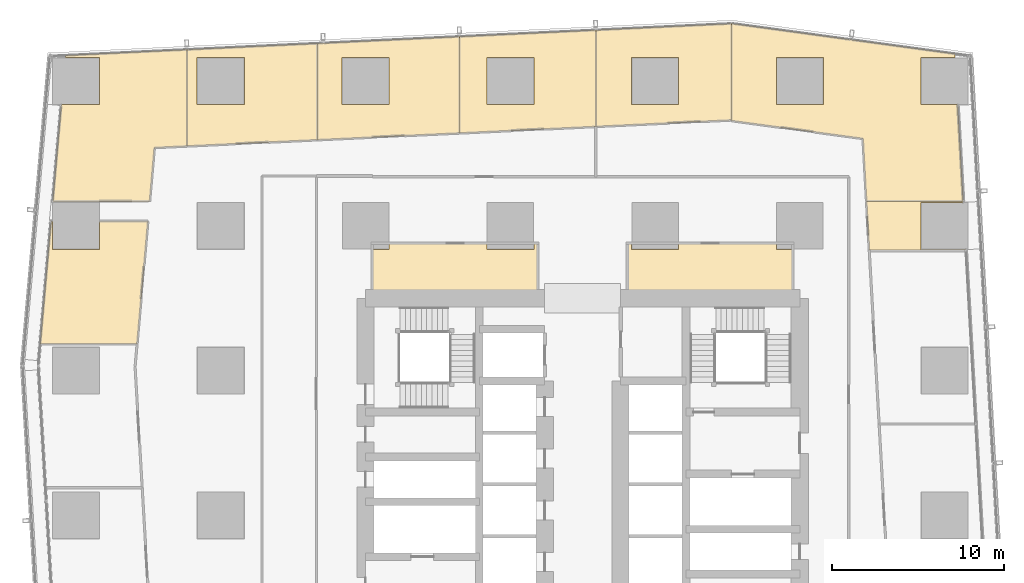
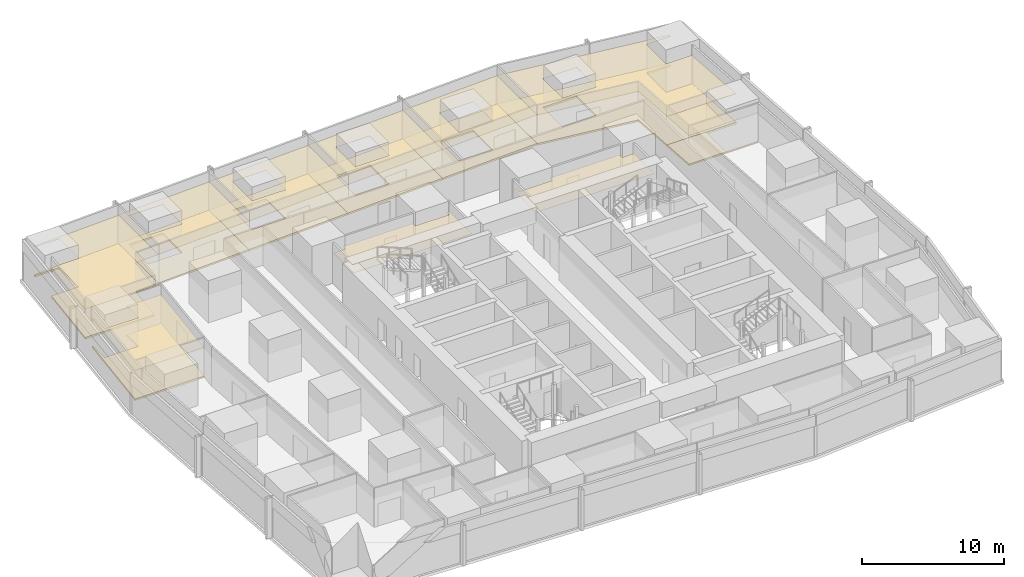
# One storey, part 36 of 36: 18 coverings.
"""IFC4 building model written with IfcOpenShell, lengths in metres."""

from ifc_helpers import new_model, si_unit, direction, frame, origin, place, context, subcontext, project, spatial, polyline, outline, extrude, material, layer, layer_set, type_object, element, save


model = new_model("IFC4")

# Units and contexts
model_context = context("Model", 3, precision=1e-05, world=origin(), true_north=direction((0.0, 1.0)))
body_context = subcontext(model_context, "Body", "Model", "MODEL_VIEW")
ifc_project = project(units=[si_unit("LENGTHUNIT", "METRE"), si_unit("AREAUNIT", "SQUARE_METRE"), si_unit("VOLUMEUNIT", "CUBIC_METRE"), si_unit("PLANEANGLEUNIT", "RADIAN"), si_unit("MASSUNIT", "GRAM", prefix="KILO")], contexts=[model_context])

# Site, building, storey
site_placement = place(None, origin())
site = spatial("IfcSite", under=ifc_project, at=site_placement, CompositionType="ELEMENT")
building_placement = place(site_placement, origin())
building = spatial("IfcBuilding", under=site, at=building_placement, Name="Rekha Terrace Tower", CompositionType="ELEMENT")
storey_placement = place(building_placement, frame((0.0, 0.0, 172.699951171875)))
storey = spatial("IfcBuildingStorey", under=building, at=storey_placement, Name="L43", CompositionType="ELEMENT", Elevation=172.699951171875)

# Coverings
ifc_material_1 = material(Name="Mineral fibre tile in exposed grid", Category="finish")
ifc_layer_1 = layer(ifc_material_1, 0.02001953125)
ifc_layer_set_1 = layer_set([ifc_layer_1], Name="Mineral fibre tile in exposed grid")
covering_type_1 = type_object("IfcCoveringType", Name="CL1 600x1200 office grid ceiling", PredefinedType="CEILING", material=ifc_layer_set_1)
covering_1_placement = place(storey_placement, frame((0.0, 0.0, 2.580078125)))
element("IfcCovering", 1, at=covering_1_placement, inside=storey, type_object=covering_type_1, Name="Ceiling L43-06", PredefinedType="CEILING", context=body_context, shape_type="SweptSolid", body=[
    extrude(outline(polyline([(57.43505859375, 51.764892578125), (59.881103515625, 51.764892578125), (59.87890625, 51.806884765625), (54.27001953125, 51.806884765625), (54.429931640625, 48.992919921875), (60.0390625, 48.992919921875), (60.037109375, 49.034912109375), (57.43505859375, 49.034912109375), (57.43505859375, 51.764892578125)])), origin(), (0.0, 0.0, 1.0), 0.02001953125),
])
covering_2_placement = place(storey_placement, frame((0.0, 0.0, 2.580078125)))
element("IfcCovering", 2, at=covering_2_placement, inside=storey, type_object=covering_type_1, Name="Ceiling L43-07", PredefinedType="CEILING", context=body_context, shape_type="SweptSolid", body=[
    extrude(outline(polyline([(57.43505859375, 60.1650390625), (59.405029296875, 60.1650390625), (59.39208984375, 60.39208984375), (46.445068359375, 62.154052734375), (46.445068359375, 56.501953125), (54.06298828125, 55.466064453125), (54.27001953125, 51.80810546875), (59.87890625, 51.80810546875), (59.56005859375, 57.43505859375), (57.43505859375, 57.43505859375), (57.43505859375, 60.1650390625)]), holes=[polyline([(51.764892578125, 57.43505859375), (49.034912109375, 57.43505859375), (49.034912109375, 60.1650390625), (51.764892578125, 60.1650390625), (51.764892578125, 57.43505859375)])]), origin(), (0.0, 0.0, 1.0), 0.02001953125),
])
covering_3_placement = place(storey_placement, frame((0.0, 0.0, 2.580078125)))
element("IfcCovering", 3, at=covering_3_placement, inside=storey, type_object=covering_type_1, Name="Ceiling L43-08", PredefinedType="CEILING", context=body_context, shape_type="SweptSolid", body=[
    extrude(outline(polyline([(46.444091796875, 62.14697265625), (38.571044921875, 61.77099609375), (38.571044921875, 56.1650390625), (46.444091796875, 56.541015625), (46.444091796875, 62.14697265625)]), holes=[polyline([(43.364990234375, 60.1650390625), (43.364990234375, 57.43505859375), (40.635009765625, 57.43505859375), (40.635009765625, 60.1650390625), (43.364990234375, 60.1650390625)])]), origin(), (0.0, 0.0, 1.0), 0.02001953125),
])
covering_4_placement = place(storey_placement, frame((0.0, 0.0, 2.580078125)))
element("IfcCovering", 4, at=covering_4_placement, inside=storey, type_object=covering_type_1, Name="Ceiling L43-09", PredefinedType="CEILING", context=body_context, shape_type="SweptSolid", body=[
    extrude(outline(polyline([(38.570068359375, 56.1640625), (38.570068359375, 61.77099609375), (30.662109375, 61.39306640625), (30.662109375, 55.785888671875), (38.570068359375, 56.1640625)]), holes=[polyline([(34.965087890625, 57.43505859375), (32.235107421875, 57.43505859375), (32.235107421875, 60.1650390625), (34.965087890625, 60.1650390625), (34.965087890625, 57.43505859375)])]), origin(), (0.0, 0.0, 1.0), 0.02001953125),
])
covering_5_placement = place(storey_placement, frame((0.0, 0.0, 2.580078125)))
element("IfcCovering", 5, at=covering_5_placement, inside=storey, type_object=covering_type_1, Name="Ceiling L43-10", PredefinedType="CEILING", context=body_context, shape_type="SweptSolid", body=[
    extrude(outline(polyline([(30.660888671875, 55.785888671875), (30.660888671875, 61.39306640625), (22.40087890625, 60.998046875), (22.40087890625, 55.39208984375), (30.660888671875, 55.785888671875)]), holes=[polyline([(26.56494140625, 57.43505859375), (23.8349609375, 57.43505859375), (23.8349609375, 60.1650390625), (26.56494140625, 60.1650390625), (26.56494140625, 57.43505859375)])]), origin(), (0.0, 0.0, 1.0), 0.02001953125),
])
covering_6_placement = place(storey_placement, frame((0.0, 0.0, 2.580078125)))
element("IfcCovering", 6, at=covering_6_placement, inside=storey, type_object=covering_type_1, Name="Ceiling L43-11", PredefinedType="CEILING", context=body_context, shape_type="SweptSolid", body=[
    extrude(outline(polyline([(22.39990234375, 55.39208984375), (22.39990234375, 60.998046875), (14.843017578125, 60.636962890625), (14.843017578125, 55.030029296875), (22.39990234375, 55.39208984375)]), holes=[polyline([(18.1650390625, 60.1650390625), (18.1650390625, 57.43505859375), (15.43505859375, 57.43505859375), (15.43505859375, 60.1650390625), (18.1650390625, 60.1650390625)])]), origin(), (0.0, 0.0, 1.0), 0.02001953125),
])
covering_7_placement = place(storey_placement, frame((0.0, 0.0, 2.580078125)))
element("IfcCovering", 7, at=covering_7_placement, inside=storey, type_object=covering_type_1, Name="Ceiling L43-12", PredefinedType="CEILING", context=body_context, shape_type="SweptSolid", body=[
    extrude(outline(polyline([(7.548095703125, 57.43505859375), (7.052001953125, 51.81103515625), (12.673095703125, 51.81103515625), (12.949951171875, 54.93994140625), (14.842041015625, 55.030029296875), (14.842041015625, 60.636962890625), (7.801025390625, 60.300048828125), (7.7890625, 60.1650390625), (9.764892578125, 60.1650390625), (9.764892578125, 57.43505859375), (7.548095703125, 57.43505859375)])), origin(), (0.0, 0.0, 1.0), 0.02001953125),
])
covering_8_placement = place(storey_placement, frame((0.0, 0.0, 2.580078125)))
element("IfcCovering", 8, at=covering_8_placement, inside=storey, type_object=covering_type_1, Name="Ceiling L43-13", PredefinedType="CEILING", context=body_context, shape_type="SweptSolid", body=[
    extrude(outline(polyline([(7.034912109375, 50.672119140625), (6.950927734375, 50.672119140625), (6.321044921875, 43.541015625), (11.943115234375, 43.541015625), (12.572998046875, 50.672119140625), (9.764892578125, 50.672119140625), (9.764892578125, 49.034912109375), (7.034912109375, 49.034912109375), (7.034912109375, 50.672119140625)])), origin(), (0.0, 0.0, 1.0), 0.02001953125),
])
ifc_material_2 = material(Name="Fibre cement board", Category="finish")
ifc_layer_2 = layer(ifc_material_2, 0.014892578125)
ifc_layer_set_2 = layer_set([ifc_layer_2], Name="Fibre cement board")
covering_type_2 = type_object("IfcCoveringType", Name="CL2 moisture-resistant board ceiling", PredefinedType="CEILING", material=ifc_layer_set_2)
covering_9_placement = place(storey_placement, frame((0.0, 0.0, 2.5849609375)))
element("IfcCovering", 9, at=covering_9_placement, inside=storey, type_object=covering_type_2, Name="Ceiling L43-WCF", PredefinedType="CEILING", context=body_context, shape_type="SweptSolid", body=[
    extrude(outline(polyline([(40.635009765625, 49.39990234375), (40.39990234375, 49.39990234375), (40.39990234375, 46.199951171875), (50.0, 46.199951171875), (50.0, 49.034912109375), (49.034912109375, 49.034912109375), (49.034912109375, 49.39990234375), (43.364990234375, 49.39990234375), (43.364990234375, 49.034912109375), (40.635009765625, 49.034912109375), (40.635009765625, 49.39990234375)])), origin(), (0.0, 0.0, 1.0), 0.01513671875),
])
covering_10_placement = place(storey_placement, frame((0.0, 0.0, 2.5849609375)))
element("IfcCovering", 10, at=covering_10_placement, inside=storey, type_object=covering_type_2, Name="Ceiling L43-WCF2", PredefinedType="CEILING", context=body_context, shape_type="SweptSolid", body=[
    extrude(outline(polyline([(26.56494140625, 49.034912109375), (25.60009765625, 49.034912109375), (25.60009765625, 46.199951171875), (35.199951171875, 46.199951171875), (35.199951171875, 49.39990234375), (34.965087890625, 49.39990234375), (34.965087890625, 49.034912109375), (32.235107421875, 49.034912109375), (32.235107421875, 49.39990234375), (26.56494140625, 49.39990234375), (26.56494140625, 49.034912109375)])), origin(), (0.0, 0.0, 1.0), 0.01513671875),
])
ifc_material_3 = material(Name="Calcium sulphate panels on steel pedestals", Category="steel")
ifc_layer_3 = layer(ifc_material_3, 0.14990234375)
ifc_layer_set_3 = layer_set([ifc_layer_3], Name="Calcium sulphate panels on steel pedestals")
covering_type_3 = type_object("IfcCoveringType", Name="RF1 150 raised access floor", PredefinedType="FLOORING", material=ifc_layer_set_3)
covering_11_placement = place(storey_placement, origin())
element("IfcCovering", 11, at=covering_11_placement, inside=storey, type_object=covering_type_3, Name="Raised floor L43-06", PredefinedType="FLOORING", context=body_context, shape_type="SweptSolid", body=[
    extrude(outline(polyline([(57.43505859375, 51.764892578125), (59.881103515625, 51.764892578125), (59.87890625, 51.806884765625), (54.27001953125, 51.806884765625), (54.429931640625, 48.992919921875), (60.0390625, 48.992919921875), (60.037109375, 49.034912109375), (57.43505859375, 49.034912109375), (57.43505859375, 51.764892578125)])), origin(), (0.0, 0.0, 1.0), 0.150146484375),
])
covering_12_placement = place(storey_placement, origin())
element("IfcCovering", 12, at=covering_12_placement, inside=storey, type_object=covering_type_3, Name="Raised floor L43-07", PredefinedType="FLOORING", context=body_context, shape_type="SweptSolid", body=[
    extrude(outline(polyline([(57.43505859375, 60.1650390625), (59.405029296875, 60.1650390625), (59.39208984375, 60.39208984375), (46.445068359375, 62.154052734375), (46.445068359375, 56.501953125), (54.06298828125, 55.466064453125), (54.27001953125, 51.80810546875), (59.87890625, 51.80810546875), (59.56005859375, 57.43505859375), (57.43505859375, 57.43505859375), (57.43505859375, 60.1650390625)]), holes=[polyline([(51.764892578125, 57.43505859375), (49.034912109375, 57.43505859375), (49.034912109375, 60.1650390625), (51.764892578125, 60.1650390625), (51.764892578125, 57.43505859375)])]), origin(), (0.0, 0.0, 1.0), 0.150146484375),
])
covering_13_placement = place(storey_placement, origin())
element("IfcCovering", 13, at=covering_13_placement, inside=storey, type_object=covering_type_3, Name="Raised floor L43-08", PredefinedType="FLOORING", context=body_context, shape_type="SweptSolid", body=[
    extrude(outline(polyline([(46.444091796875, 62.14697265625), (38.571044921875, 61.77099609375), (38.571044921875, 56.1650390625), (46.444091796875, 56.541015625), (46.444091796875, 62.14697265625)]), holes=[polyline([(43.364990234375, 60.1650390625), (43.364990234375, 57.43505859375), (40.635009765625, 57.43505859375), (40.635009765625, 60.1650390625), (43.364990234375, 60.1650390625)])]), origin(), (0.0, 0.0, 1.0), 0.150146484375),
])
covering_14_placement = place(storey_placement, origin())
element("IfcCovering", 14, at=covering_14_placement, inside=storey, type_object=covering_type_3, Name="Raised floor L43-09", PredefinedType="FLOORING", context=body_context, shape_type="SweptSolid", body=[
    extrude(outline(polyline([(38.570068359375, 56.1640625), (38.570068359375, 61.77099609375), (30.662109375, 61.39306640625), (30.662109375, 55.785888671875), (38.570068359375, 56.1640625)]), holes=[polyline([(34.965087890625, 57.43505859375), (32.235107421875, 57.43505859375), (32.235107421875, 60.1650390625), (34.965087890625, 60.1650390625), (34.965087890625, 57.43505859375)])]), origin(), (0.0, 0.0, 1.0), 0.150146484375),
])
covering_15_placement = place(storey_placement, origin())
element("IfcCovering", 15, at=covering_15_placement, inside=storey, type_object=covering_type_3, Name="Raised floor L43-10", PredefinedType="FLOORING", context=body_context, shape_type="SweptSolid", body=[
    extrude(outline(polyline([(30.660888671875, 55.785888671875), (30.660888671875, 61.39306640625), (22.40087890625, 60.998046875), (22.40087890625, 55.39208984375), (30.660888671875, 55.785888671875)]), holes=[polyline([(26.56494140625, 57.43505859375), (23.8349609375, 57.43505859375), (23.8349609375, 60.1650390625), (26.56494140625, 60.1650390625), (26.56494140625, 57.43505859375)])]), origin(), (0.0, 0.0, 1.0), 0.150146484375),
])
covering_16_placement = place(storey_placement, origin())
element("IfcCovering", 16, at=covering_16_placement, inside=storey, type_object=covering_type_3, Name="Raised floor L43-11", PredefinedType="FLOORING", context=body_context, shape_type="SweptSolid", body=[
    extrude(outline(polyline([(22.39990234375, 55.39208984375), (22.39990234375, 60.998046875), (14.843017578125, 60.636962890625), (14.843017578125, 55.030029296875), (22.39990234375, 55.39208984375)]), holes=[polyline([(18.1650390625, 60.1650390625), (18.1650390625, 57.43505859375), (15.43505859375, 57.43505859375), (15.43505859375, 60.1650390625), (18.1650390625, 60.1650390625)])]), origin(), (0.0, 0.0, 1.0), 0.150146484375),
])
covering_17_placement = place(storey_placement, origin())
element("IfcCovering", 17, at=covering_17_placement, inside=storey, type_object=covering_type_3, Name="Raised floor L43-12", PredefinedType="FLOORING", context=body_context, shape_type="SweptSolid", body=[
    extrude(outline(polyline([(7.548095703125, 57.43505859375), (7.052001953125, 51.81103515625), (12.673095703125, 51.81103515625), (12.949951171875, 54.93994140625), (14.842041015625, 55.030029296875), (14.842041015625, 60.636962890625), (7.801025390625, 60.300048828125), (7.7890625, 60.1650390625), (9.764892578125, 60.1650390625), (9.764892578125, 57.43505859375), (7.548095703125, 57.43505859375)])), origin(), (0.0, 0.0, 1.0), 0.150146484375),
])
covering_18_placement = place(storey_placement, origin())
element("IfcCovering", 18, at=covering_18_placement, inside=storey, type_object=covering_type_3, Name="Raised floor L43-13", PredefinedType="FLOORING", context=body_context, shape_type="SweptSolid", body=[
    extrude(outline(polyline([(7.034912109375, 50.672119140625), (6.950927734375, 50.672119140625), (6.321044921875, 43.541015625), (11.943115234375, 43.541015625), (12.572998046875, 50.672119140625), (9.764892578125, 50.672119140625), (9.764892578125, 49.034912109375), (7.034912109375, 49.034912109375), (7.034912109375, 50.672119140625)])), origin(), (0.0, 0.0, 1.0), 0.150146484375),
])

save(model, "model.ifc")
